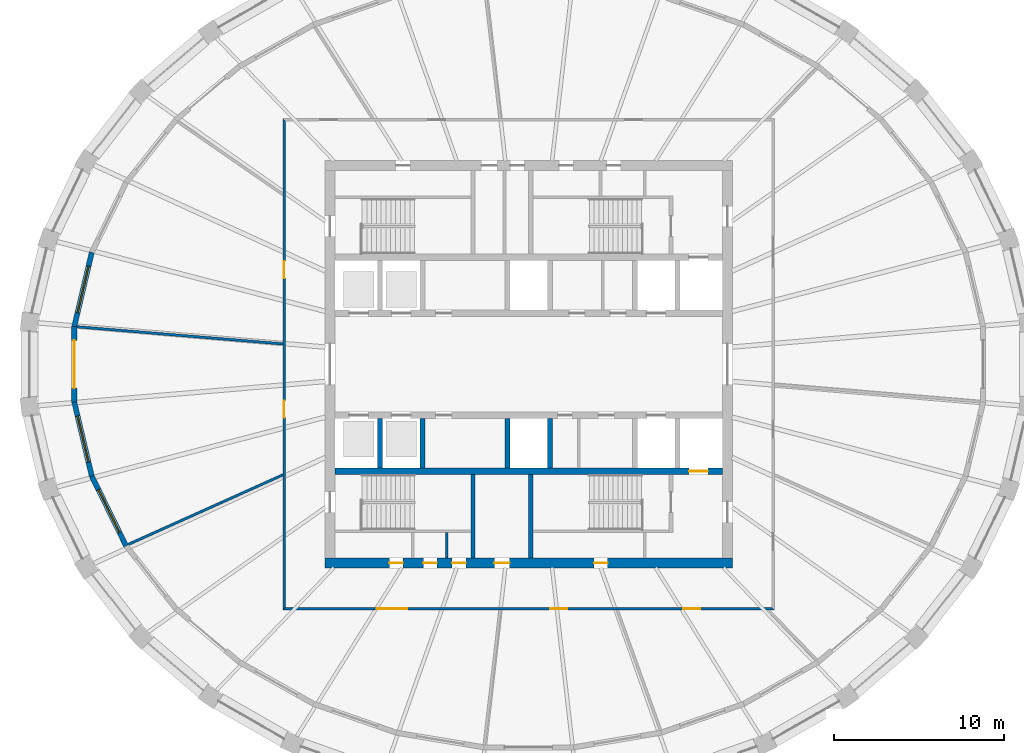
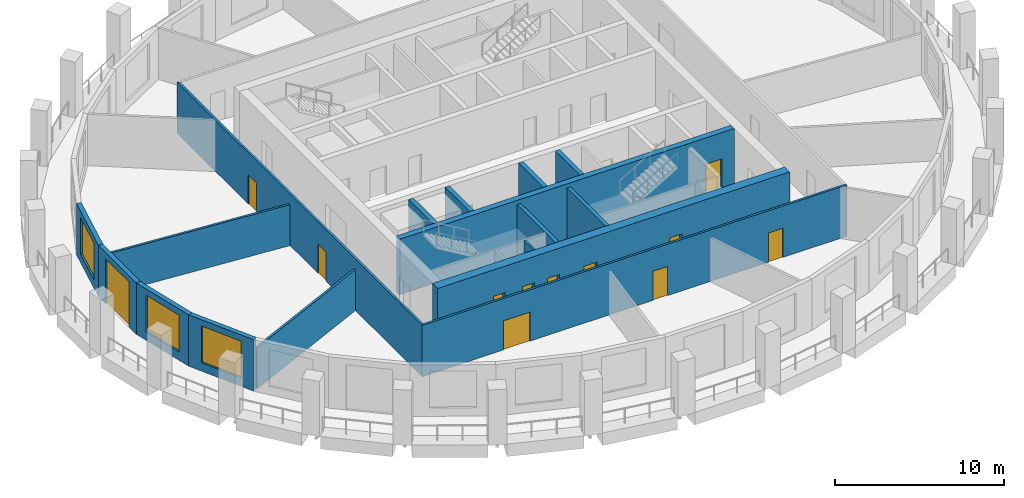
# One storey, part 3 of 10: 17 walls, 12 doors, 3 windows, 15 openings.
"""IFC4 building model written with IfcOpenShell, lengths in metres."""

from ifc_helpers import new_model, si_unit, direction, frame, frame_2d, origin, place, context, subcontext, project, spatial, polyline, rectangle, outline, extrude, material, layer, layer_set, type_object, element, fill, save


model = new_model("IFC4")

# Units and contexts
model_context = context("Model", 3, precision=1e-05, world=origin(), true_north=direction((0.0, 1.0)))
body_context = subcontext(model_context, "Body", "Model", "MODEL_VIEW")
ifc_project = project(units=[si_unit("LENGTHUNIT", "METRE"), si_unit("AREAUNIT", "SQUARE_METRE"), si_unit("VOLUMEUNIT", "CUBIC_METRE"), si_unit("PLANEANGLEUNIT", "RADIAN"), si_unit("MASSUNIT", "GRAM", prefix="KILO")], contexts=[model_context])

# Site, building, storey
site_placement = place(None, origin())
site = spatial("IfcSite", under=ifc_project, at=site_placement, CompositionType="ELEMENT")
building_placement = place(site_placement, origin())
building = spatial("IfcBuilding", under=site, at=building_placement, Name="Halqa Exchange Tower", CompositionType="ELEMENT")
storey_placement = place(building_placement, frame((0.0, 0.0, 284.300048828125)))
storey = spatial("IfcBuildingStorey", under=building, at=storey_placement, Name="L66", CompositionType="ELEMENT", Elevation=284.300048828125)

# Wall, openings, doors
ifc_material_1 = material(Name="Fire-rated gypsum board")
ifc_layer_1 = layer(ifc_material_1, 0.14990234375)
ifc_layer_set_1 = layer_set([ifc_layer_1], Name="Fire-rated gypsum board")
wall_type_1 = type_object("IfcWallType", Name="Fire partition EI 60 150", PredefinedType="PARTITIONING", material=ifc_layer_set_1)
wall_1_placement = place(storey_placement, frame((-14.39990234375, -14.47509765625, 0.0), z_axis=(0.0, 0.0, 1.0), x_axis=(0.0, 1.0, 0.0)))
wall_1 = element("IfcWall", 1, at=wall_1_placement, inside=storey, type_object=wall_type_1, Name="L66-PWL-001", PredefinedType="PARTITIONING", context=body_context, shape_type="SweptSolid", body=[
    extrude(outline(polyline([(0.150146484375, -0.074951171875), (2.06005859375, -0.074951171875), (3.97021484375, -0.074951171875), (5.880126953125, -0.074951171875), (7.7900390625, -0.074951171875), (9.7001953125, -0.074951171875), (11.610107421875, -0.074951171875), (13.52001953125, -0.074951171875), (15.43017578125, -0.074951171875), (17.340087890625, -0.074951171875), (19.25, -0.074951171875), (21.16015625, -0.074951171875), (23.070068359375, -0.074951171875), (24.97998046875, -0.074951171875), (26.89013671875, -0.074951171875), (28.800048828125, -0.074951171875), (28.949951171875, 0.074951171875), (27.02001953125, 0.074951171875), (25.090087890625, 0.074951171875), (23.159912109375, 0.074951171875), (21.22998046875, 0.074951171875), (19.300048828125, 0.074951171875), (17.3701171875, 0.074951171875), (15.440185546875, 0.074951171875), (13.510009765625, 0.074951171875), (11.580078125, 0.074951171875), (9.650146484375, 0.074951171875), (7.72021484375, 0.074951171875), (5.790283203125, 0.074951171875), (3.860107421875, 0.074951171875), (1.93017578125, 0.074951171875), (0.000244140625, 0.074951171875), (0.150146484375, -0.074951171875)])), origin(), (0.0, 0.0, 1.0), 3.699951171875),
])
opening_1_placement = place(wall_1_placement, frame((19.544921875, 0.0, 0.0)))
opening_1 = element("IfcOpeningElement", 2, at=opening_1_placement, cuts=wall_1, Name="Opening 20-07", PredefinedType="OPENING", context=body_context, shape_type="SweptSolid", body=[
    extrude(rectangle(XDim=1.0, YDim=2.10009765625, at=frame_2d((0.5, 1.050048828125))), frame((0.0, 0.0869140625, 0.0), z_axis=(0.0, -1.0, 0.0), x_axis=(1.0, 0.0, 0.0)), (0.0, 0.0, 1.0), 0.173828125),
])
opening_2_placement = place(wall_1_placement, frame((11.330078125, 0.0, 0.0)))
opening_2 = element("IfcOpeningElement", 3, at=opening_2_placement, cuts=wall_1, Name="Opening 20-08", PredefinedType="OPENING", context=body_context, shape_type="SweptSolid", body=[
    extrude(rectangle(XDim=1.0, YDim=2.10009765625, at=frame_2d((0.5, 1.050048828125))), frame((0.0, 0.0869140625, 0.0), z_axis=(0.0, -1.0, 0.0), x_axis=(1.0, 0.0, 0.0)), (0.0, 0.0, 1.0), 0.173828125),
])
ifc_material_2 = material(Name="Steel fire door leaf", Category="steel")
door_type_1 = type_object("IfcDoorType", Name="Fire door FD30S 1000 x 2100", OperationType="SINGLE_SWING_LEFT", PredefinedType="DOOR", material=ifc_material_2)
door_1_placement = place(opening_1_placement, origin())
door_1 = element("IfcDoor", 4, at=door_1_placement, inside=storey, type_object=door_type_1, Name="L66-IDR-007", OperationType="SINGLE_SWING_LEFT", OverallHeight=2.10009765625, OverallWidth=1.0, PredefinedType="DOOR", context=body_context, shape_type="SweptSolid", body=[
    extrude(rectangle(XDim=1.0, YDim=2.10009765625, at=frame_2d((0.5, 1.050048828125))), frame((0.0, 0.02490234375, 0.0), z_axis=(0.0, -1.0, 0.0), x_axis=(1.0, 0.0, 0.0)), (0.0, 0.0, 1.0), 0.050048828125),
])
fill(opening_1, door_1)
door_2_placement = place(opening_2_placement, origin())
door_2 = element("IfcDoor", 5, at=door_2_placement, inside=storey, type_object=door_type_1, Name="L66-IDR-008", OperationType="SINGLE_SWING_RIGHT", OverallHeight=2.10009765625, OverallWidth=1.0, PredefinedType="DOOR", context=body_context, shape_type="SweptSolid", body=[
    extrude(rectangle(XDim=1.0, YDim=2.10009765625, at=frame_2d((0.5, 1.050048828125))), frame((0.0, 0.02490234375, 0.0), z_axis=(0.0, -1.0, 0.0), x_axis=(1.0, 0.0, 0.0)), (0.0, 0.0, 1.0), 0.050048828125),
])
fill(opening_2, door_2)

wall_2_placement = place(storey_placement, frame((-14.47509765625, -14.39990234375, 0.0), z_axis=(0.0, 0.0, 1.0), x_axis=(1.0, 0.0, 0.0)))
wall_2 = element("IfcWall", 6, at=wall_2_placement, inside=storey, type_object=wall_type_1, Name="L66-PWL-002", PredefinedType="PARTITIONING", context=body_context, shape_type="SweptSolid", body=[
    extrude(outline(polyline([(0.000244140625, -0.074951171875), (1.93017578125, -0.074951171875), (3.860107421875, -0.074951171875), (5.790283203125, -0.074951171875), (7.72021484375, -0.074951171875), (9.650146484375, -0.074951171875), (11.580078125, -0.074951171875), (13.510009765625, -0.074951171875), (15.440185546875, -0.074951171875), (17.3701171875, -0.074951171875), (19.300048828125, -0.074951171875), (21.22998046875, -0.074951171875), (23.159912109375, -0.074951171875), (25.090087890625, -0.074951171875), (27.02001953125, -0.074951171875), (28.949951171875, -0.074951171875), (28.800048828125, 0.074951171875), (26.89013671875, 0.074951171875), (24.97998046875, 0.074951171875), (23.070068359375, 0.074951171875), (21.16015625, 0.074951171875), (19.25, 0.074951171875), (17.340087890625, 0.074951171875), (15.43017578125, 0.074951171875), (13.52001953125, 0.074951171875), (11.610107421875, 0.074951171875), (9.7001953125, 0.074951171875), (7.7900390625, 0.074951171875), (5.880126953125, 0.074951171875), (3.97021484375, 0.074951171875), (2.06005859375, 0.074951171875), (0.150146484375, 0.074951171875), (0.000244140625, -0.074951171875)])), origin(), (0.0, 0.0, 1.0), 3.699951171875),
])
opening_3_placement = place(wall_2_placement, frame((5.534912109375, 0.0, 0.0)))
opening_3 = element("IfcOpeningElement", 7, at=opening_3_placement, cuts=wall_2, Name="Opening 20-09", PredefinedType="OPENING", context=body_context, shape_type="SweptSolid", body=[
    extrude(rectangle(XDim=1.800048828125, YDim=2.10009765625, at=frame_2d((0.89990234375, 1.050048828125))), frame((0.0, 0.0869140625, 0.0), z_axis=(0.0, -1.0, 0.0), x_axis=(1.0, 0.0, 0.0)), (0.0, 0.0, 1.0), 0.173828125),
])
opening_4_placement = place(wall_2_placement, frame((15.72998046875, 0.0, 0.0)))
opening_4 = element("IfcOpeningElement", 8, at=opening_4_placement, cuts=wall_2, Name="Opening 20-10", PredefinedType="OPENING", context=body_context, shape_type="SweptSolid", body=[
    extrude(rectangle(XDim=1.0, YDim=2.10009765625, at=frame_2d((0.5, 1.050048828125))), frame((0.0, 0.0869140625, 0.0), z_axis=(0.0, -1.0, 0.0), x_axis=(1.0, 0.0, 0.0)), (0.0, 0.0, 1.0), 0.173828125),
])
opening_5_placement = place(wall_2_placement, frame((23.5849609375, 0.0, 0.0)))
opening_5 = element("IfcOpeningElement", 9, at=opening_5_placement, cuts=wall_2, Name="Opening 20-11", PredefinedType="OPENING", context=body_context, shape_type="SweptSolid", body=[
    extrude(rectangle(XDim=1.0, YDim=2.10009765625, at=frame_2d((0.5, 1.050048828125))), frame((0.0, 0.0869140625, 0.0), z_axis=(0.0, -1.0, 0.0), x_axis=(1.0, 0.0, 0.0)), (0.0, 0.0, 1.0), 0.173828125),
])
door_3_placement = place(opening_4_placement, frame((1.0, 0.0, 0.0), z_axis=(0.0, 0.0, 1.0), x_axis=(-1.0, 0.0, 0.0)))
door_3 = element("IfcDoor", 10, at=door_3_placement, inside=storey, type_object=door_type_1, Name="L66-IDR-010", OperationType="SINGLE_SWING_RIGHT", OverallHeight=2.10009765625, OverallWidth=1.0, PredefinedType="DOOR", context=body_context, shape_type="SweptSolid", body=[
    extrude(rectangle(XDim=1.0, YDim=2.10009765625, at=frame_2d((0.5, 1.050048828125))), frame((0.0, 0.02490234375, 0.0), z_axis=(0.0, -1.0, 0.0), x_axis=(1.0, 0.0, 0.0)), (0.0, 0.0, 1.0), 0.050048828125),
])
fill(opening_4, door_3)
door_4_placement = place(opening_5_placement, frame((1.0, 0.0, 0.0), z_axis=(0.0, 0.0, 1.0), x_axis=(-1.0, 0.0, 0.0)))
door_4 = element("IfcDoor", 11, at=door_4_placement, inside=storey, type_object=door_type_1, Name="L66-IDR-011", OperationType="SINGLE_SWING_RIGHT", OverallHeight=2.10009765625, OverallWidth=1.0, PredefinedType="DOOR", context=body_context, shape_type="SweptSolid", body=[
    extrude(rectangle(XDim=1.0, YDim=2.10009765625, at=frame_2d((0.5, 1.050048828125))), frame((0.0, 0.02490234375, 0.0), z_axis=(0.0, -1.0, 0.0), x_axis=(1.0, 0.0, 0.0)), (0.0, 0.0, 1.0), 0.050048828125),
])
fill(opening_5, door_4)
door_type_2 = type_object("IfcDoorType", Name="Fire door FD30S double 1800 x 2100", OperationType="DOUBLE_DOOR_SINGLE_SWING", PredefinedType="DOOR", material=ifc_material_2)
door_5_placement = place(opening_3_placement, frame((1.800048828125, 0.0, 0.0), z_axis=(0.0, 0.0, 1.0), x_axis=(-1.0, 0.0, 0.0)))
door_5 = element("IfcDoor", 12, at=door_5_placement, inside=storey, type_object=door_type_2, Name="L66-IDR-009", OperationType="DOUBLE_DOOR_SINGLE_SWING", OverallHeight=2.10009765625, OverallWidth=1.800048828125, PredefinedType="DOOR", context=body_context, shape_type="SweptSolid", body=[
    extrude(rectangle(XDim=1.800048828125, YDim=2.10009765625, at=frame_2d((0.89990234375, 1.050048828125))), frame((0.0, 0.02490234375, 0.0), z_axis=(0.0, -1.0, 0.0), x_axis=(1.0, 0.0, 0.0)), (0.0, 0.0, 1.0), 0.050048828125),
])
fill(opening_3, door_5)

# Walls
wall_3_placement = place(storey_placement, frame((-14.444580078125, -6.5, 0.0), z_axis=(0.0, 0.0, 1.0), x_axis=(-0.912008635086, -0.410171000351, 0.0)))
element("IfcWall", 13, at=wall_3_placement, inside=storey, type_object=wall_type_1, Name="L66-PWL-003", PredefinedType="PARTITIONING", context=body_context, shape_type="SweptSolid", body=[
    extrude(outline(polyline([(10.011474609375, -0.074951171875), (10.011474609375, -0.07080078125), (10.0087890625, 0.00537109375), (9.9912109375, 0.074951171875), (8.00634765625, 0.074951171875), (6.021484375, 0.074951171875), (4.03662109375, 0.074951171875), (2.052001953125, 0.074951171875), (0.067138671875, 0.074951171875), (0.0, -0.07421875), (0.0, -0.074951171875), (1.66845703125, -0.074951171875), (3.337158203125, -0.074951171875), (5.005859375, -0.074951171875), (6.67431640625, -0.074951171875), (8.3427734375, -0.074951171875), (10.011474609375, -0.074951171875)])), origin(), (0.0, 0.0, 1.0), 2.947021484375),
])
wall_4_placement = place(storey_placement, frame((-14.46923828125, 1.19580078125, 0.0), z_axis=(0.0, 0.0, 1.0), x_axis=(-0.996556684965, 0.08291425481, 0.0)))
element("IfcWall", 14, at=wall_4_placement, inside=storey, type_object=wall_type_1, Name="L66-PWL-004", PredefinedType="PARTITIONING", context=body_context, shape_type="SweptSolid", body=[
    extrude(outline(polyline([(0.011962890625, -0.074951171875), (1.747314453125, -0.074951171875), (3.482666015625, -0.074951171875), (5.218017578125, -0.074951171875), (6.953369140625, -0.074951171875), (8.688720703125, -0.074951171875), (10.424072265625, -0.074951171875), (12.159423828125, -0.074951171875), (12.163818359375, -0.045166015625), (12.163818359375, 0.074951171875), (10.426025390625, 0.074951171875), (8.6884765625, 0.074951171875), (6.95068359375, 0.074951171875), (5.213134765625, 0.074951171875), (3.475341796875, 0.074951171875), (1.73779296875, 0.074951171875), (0.0, 0.074951171875), (0.0, 0.069580078125), (0.011962890625, -0.074951171875)])), origin(), (0.0, 0.0, 1.0), 2.947021484375),
])
ifc_material_3 = material(Name="Gypsum board")
ifc_layer_2 = layer(ifc_material_3, 0.14990234375)
ifc_layer_set_2 = layer_set([ifc_layer_2], Name="Gypsum board")
wall_type_2 = type_object("IfcWallType", Name="Penthouse riser wall 150 gypsum", PredefinedType="PARTITIONING", material=ifc_layer_set_2)
wall_5_placement = place(storey_placement, frame((-4.824951171875, -11.39990234375, 0.0), z_axis=(0.0, 0.0, 1.0), x_axis=(0.0, 1.0, 0.0)))
element("IfcWall", 15, at=wall_5_placement, inside=storey, type_object=wall_type_2, Name="Partition W4.825 S", PredefinedType="PARTITIONING", context=body_context, shape_type="SweptSolid", body=[
    extrude(rectangle(XDim=1.5, YDim=0.14990234375, at=frame_2d((0.75, 0.0))), origin(), (0.0, 0.0, 1.0), 3.699951171875),
])
ifc_material_4 = material(Name="Concrete C60/75", Category="concrete")
ifc_layer_3 = layer(ifc_material_4, 0.300048828125)
ifc_layer_set_3 = layer_set([ifc_layer_3], Name="Concrete C60/75")
wall_type_3 = type_object("IfcWallType", Name="RC core wall 300", PredefinedType="SHEAR", material=ifc_layer_set_3)
for number, where, z_axis, x_axis, name in (
    (16, (-8.75, -6.10009765625, 0.0), (0.0, 0.0, 1.0), (0.0, 1.0, 0.0), "Shaft divider S1"),
    (17, (-6.25, -6.10009765625, 0.0), (0.0, 0.0, 1.0), (0.0, 1.0, 0.0), "Shaft divider S2"),
    (18, (-1.25, -6.10009765625, 0.0), (0.0, 0.0, 1.0), (0.0, 1.0, 0.0), "Shaft divider S4"),
    (19, (1.25, -6.10009765625, 0.0), (0.0, 0.0, 1.0), (0.0, 1.0, 0.0), "Shaft divider S5"),
):
    element("IfcWall", number, at=place(storey_placement, frame(where, z_axis=z_axis, x_axis=x_axis)), inside=storey, type_object=wall_type_3, Name=name, PredefinedType="SHEAR", context=body_context, shape_type="SweptSolid", body=[
        extrude(rectangle(XDim=2.900146484375, YDim=0.300048828125, at=frame_2d((1.4501953125, 0.0))), origin(), (0.0, 0.0, 1.0), 4.0),
    ])

# Wall, opening, door
ifc_layer_4 = layer(ifc_material_4, 0.39990234375)
ifc_layer_set_4 = layer_set([ifc_layer_4], Name="Concrete C60/75")
wall_type_4 = type_object("IfcWallType", Name="RC core wall 400 C60/75", PredefinedType="SHEAR", material=ifc_layer_set_4)
wall_6_placement = place(storey_placement, frame((-11.39990234375, -6.300048828125, 0.0), z_axis=(0.0, 0.0, 1.0), x_axis=(1.0, 0.0, 0.0)))
wall_6 = element("IfcWall", 20, at=wall_6_placement, inside=storey, type_object=wall_type_4, Name="Lift row back wall S", PredefinedType="SHEAR", context=body_context, shape_type="SweptSolid", body=[
    extrude(rectangle(XDim=22.7998046875, YDim=0.39990234375, at=frame_2d((11.39990234375, 0.0))), origin(), (0.0, 0.0, 1.0), 4.0),
])
opening_6_placement = place(wall_6_placement, frame((20.85009765625, 0.0, 0.0)))
opening_6 = element("IfcOpeningElement", 21, at=opening_6_placement, cuts=wall_6, Name="Opening LD-FF2-T20", PredefinedType="OPENING", context=body_context, shape_type="SweptSolid", body=[
    extrude(rectangle(XDim=1.10009765625, YDim=2.10009765625, at=frame_2d((0.550048828125, 1.050048828125))), frame((0.0, 0.2119140625, 0.0), z_axis=(0.0, -1.0, 0.0), x_axis=(1.0, 0.0, 0.0)), (0.0, 0.0, 1.0), 0.423828125),
])
ifc_material_5 = material(Name="Stainless steel", Category="steel")
door_type_3 = type_object("IfcDoorType", Name="Lift landing door 1100 x 2100", OperationType="SLIDING_TO_LEFT", PredefinedType="DOOR", material=ifc_material_5)
door_6_placement = place(opening_6_placement, origin())
door_6 = element("IfcDoor", 22, at=door_6_placement, inside=storey, type_object=door_type_3, Name="Lift landing door FF2", OperationType="SLIDING_TO_LEFT", OverallHeight=2.10009765625, OverallWidth=1.10009765625, PredefinedType="DOOR", context=body_context, shape_type="SweptSolid", body=[
    extrude(rectangle(XDim=1.10009765625, YDim=2.10009765625, at=frame_2d((0.550048828125, 1.050048828125))), frame((0.0, 0.02490234375, 0.0), z_axis=(0.0, -1.0, 0.0), x_axis=(1.0, 0.0, 0.0)), (0.0, 0.0, 1.0), 0.050048828125),
])
fill(opening_6, door_6)

# Wall, openings, doors
ifc_layer_5 = layer(ifc_material_4, 0.60009765625)
ifc_layer_set_5 = layer_set([ifc_layer_5], Name="Concrete C60/75")
wall_type_5 = type_object("IfcWallType", Name="RC core wall 600 C60/75", PredefinedType="SHEAR", material=ifc_layer_set_5)
wall_7_placement = place(storey_placement, frame((-12.0, -11.699951171875, 0.0), z_axis=(0.0, 0.0, 1.0), x_axis=(1.0, 0.0, 0.0)))
wall_7 = element("IfcWall", 23, at=wall_7_placement, inside=storey, type_object=wall_type_5, Name="Core wall south", PredefinedType="SHEAR", context=body_context, shape_type="SweptSolid", body=[
    extrude(rectangle(XDim=24.0, YDim=0.60009765625, at=frame_2d((12.0, 0.0))), origin(), (0.0, 0.0, 1.0), 4.0),
])
opening_7_placement = place(wall_7_placement, frame((9.97509765625, 0.0, 0.0)))
opening_7 = element("IfcOpeningElement", 24, at=opening_7_placement, cuts=wall_7, Name="Opening T20-C22", PredefinedType="OPENING", context=body_context, shape_type="SweptSolid", body=[
    extrude(rectangle(XDim=0.89990234375, YDim=2.10009765625, at=frame_2d((0.449951171875, 1.050048828125))), frame((0.0, 0.31201171875, 0.0), z_axis=(0.0, -1.0, 0.0), x_axis=(1.0, 0.0, 0.0)), (0.0, 0.0, 1.0), 0.6240234375),
])
opening_8_placement = place(wall_7_placement, frame((3.800048828125, 0.0, 0.0)))
opening_8 = element("IfcOpeningElement", 25, at=opening_8_placement, cuts=wall_7, Name="Opening T20-C23", PredefinedType="OPENING", context=body_context, shape_type="SweptSolid", body=[
    extrude(rectangle(XDim=0.800048828125, YDim=2.10009765625, at=frame_2d((0.39990234375, 1.050048828125))), frame((0.0, 0.31201171875, 0.0), z_axis=(0.0, -1.0, 0.0), x_axis=(1.0, 0.0, 0.0)), (0.0, 0.0, 1.0), 0.6240234375),
])
opening_9_placement = place(wall_7_placement, frame((5.800048828125, 0.0, 0.0)))
opening_9 = element("IfcOpeningElement", 26, at=opening_9_placement, cuts=wall_7, Name="Opening T20-C24", PredefinedType="OPENING", context=body_context, shape_type="SweptSolid", body=[
    extrude(rectangle(XDim=0.800048828125, YDim=2.10009765625, at=frame_2d((0.39990234375, 1.050048828125))), frame((0.0, 0.31201171875, 0.0), z_axis=(0.0, -1.0, 0.0), x_axis=(1.0, 0.0, 0.0)), (0.0, 0.0, 1.0), 0.6240234375),
])
opening_10_placement = place(wall_7_placement, frame((7.5, 0.0, 0.0)))
opening_10 = element("IfcOpeningElement", 27, at=opening_10_placement, cuts=wall_7, Name="Opening T20-C25", PredefinedType="OPENING", context=body_context, shape_type="SweptSolid", body=[
    extrude(rectangle(XDim=0.800048828125, YDim=2.10009765625, at=frame_2d((0.39990234375, 1.050048828125))), frame((0.0, 0.31201171875, 0.0), z_axis=(0.0, -1.0, 0.0), x_axis=(1.0, 0.0, 0.0)), (0.0, 0.0, 1.0), 0.6240234375),
])
opening_11_placement = place(wall_7_placement, frame((15.85009765625, 0.0, 0.0)))
opening_11 = element("IfcOpeningElement", 28, at=opening_11_placement, cuts=wall_7, Name="Opening T20-C26", PredefinedType="OPENING", context=body_context, shape_type="SweptSolid", body=[
    extrude(rectangle(XDim=0.800048828125, YDim=2.10009765625, at=frame_2d((0.39990234375, 1.050048828125))), frame((0.0, 0.31201171875, 0.0), z_axis=(0.0, -1.0, 0.0), x_axis=(1.0, 0.0, 0.0)), (0.0, 0.0, 1.0), 0.6240234375),
])
ifc_material_6 = material(Name="Timber fire door leaf", Category="wood")
door_type_4 = type_object("IfcDoorType", Name="Core room door FD30 900 x 2100", OperationType="SINGLE_SWING_LEFT", PredefinedType="DOOR", material=ifc_material_6)
door_7_placement = place(opening_7_placement, origin())
door_7 = element("IfcDoor", 29, at=door_7_placement, inside=storey, type_object=door_type_4, Name="Core room door", OperationType="SINGLE_SWING_LEFT", OverallHeight=2.10009765625, OverallWidth=0.89990234375, PredefinedType="DOOR", context=body_context, shape_type="SweptSolid", body=[
    extrude(rectangle(XDim=0.89990234375, YDim=2.10009765625, at=frame_2d((0.449951171875, 1.050048828125))), frame((0.0, 0.02490234375, 0.0), z_axis=(0.0, -1.0, 0.0), x_axis=(1.0, 0.0, 0.0)), (0.0, 0.0, 1.0), 0.050048828125),
])
fill(opening_7, door_7)
door_type_5 = type_object("IfcDoorType", Name="Riser door FD60 800 x 2100", OperationType="SINGLE_SWING_LEFT", PredefinedType="DOOR", material=ifc_material_2)
door_8_placement = place(opening_8_placement, origin())
door_8 = element("IfcDoor", 30, at=door_8_placement, inside=storey, type_object=door_type_5, Name="Core room door", OperationType="SINGLE_SWING_LEFT", OverallHeight=2.10009765625, OverallWidth=0.800048828125, PredefinedType="DOOR", context=body_context, shape_type="SweptSolid", body=[
    extrude(rectangle(XDim=0.800048828125, YDim=2.10009765625, at=frame_2d((0.39990234375, 1.050048828125))), frame((0.0, 0.02490234375, 0.0), z_axis=(0.0, -1.0, 0.0), x_axis=(1.0, 0.0, 0.0)), (0.0, 0.0, 1.0), 0.050048828125),
])
fill(opening_8, door_8)
door_9_placement = place(opening_9_placement, origin())
door_9 = element("IfcDoor", 31, at=door_9_placement, inside=storey, type_object=door_type_5, Name="Core room door", OperationType="SINGLE_SWING_RIGHT", OverallHeight=2.10009765625, OverallWidth=0.800048828125, PredefinedType="DOOR", context=body_context, shape_type="SweptSolid", body=[
    extrude(rectangle(XDim=0.800048828125, YDim=2.10009765625, at=frame_2d((0.39990234375, 1.050048828125))), frame((0.0, 0.02490234375, 0.0), z_axis=(0.0, -1.0, 0.0), x_axis=(1.0, 0.0, 0.0)), (0.0, 0.0, 1.0), 0.050048828125),
])
fill(opening_9, door_9)
door_10_placement = place(opening_10_placement, origin())
door_10 = element("IfcDoor", 32, at=door_10_placement, inside=storey, type_object=door_type_5, Name="Core room door", OperationType="SINGLE_SWING_RIGHT", OverallHeight=2.10009765625, OverallWidth=0.800048828125, PredefinedType="DOOR", context=body_context, shape_type="SweptSolid", body=[
    extrude(rectangle(XDim=0.800048828125, YDim=2.10009765625, at=frame_2d((0.39990234375, 1.050048828125))), frame((0.0, 0.02490234375, 0.0), z_axis=(0.0, -1.0, 0.0), x_axis=(1.0, 0.0, 0.0)), (0.0, 0.0, 1.0), 0.050048828125),
])
fill(opening_10, door_10)
door_11_placement = place(opening_11_placement, origin())
door_11 = element("IfcDoor", 33, at=door_11_placement, inside=storey, type_object=door_type_5, Name="Core room door", OperationType="SINGLE_SWING_LEFT", OverallHeight=2.10009765625, OverallWidth=0.800048828125, PredefinedType="DOOR", context=body_context, shape_type="SweptSolid", body=[
    extrude(rectangle(XDim=0.800048828125, YDim=2.10009765625, at=frame_2d((0.39990234375, 1.050048828125))), frame((0.0, 0.02490234375, 0.0), z_axis=(0.0, -1.0, 0.0), x_axis=(1.0, 0.0, 0.0)), (0.0, 0.0, 1.0), 0.050048828125),
])
fill(opening_11, door_11)

# Walls
ifc_material_7 = material(Name="Concrete C30/37", Category="concrete")
ifc_layer_6 = layer(ifc_material_7, 0.25)
ifc_layer_set_6 = layer_set([ifc_layer_6], Name="Concrete C30/37")
wall_type_6 = type_object("IfcWallType", Name="RC stair wall 250 C30/37", PredefinedType="SHEAR", material=ifc_layer_set_6)
for number, where, z_axis, x_axis, name in (
    (34, (-3.27490234375, -11.39990234375, 0.0), (0.0, 0.0, 1.0), (0.0, 1.0, 0.0), "Stair ST1 east wall S"),
    (35, (0.125, -11.39990234375, 0.0), (0.0, 0.0, 1.0), (0.0, 1.0, 0.0), "Stair ST2 west wall S"),
):
    element("IfcWall", number, at=place(storey_placement, frame(where, z_axis=z_axis, x_axis=x_axis)), inside=storey, type_object=wall_type_6, Name=name, PredefinedType="SHEAR", context=body_context, shape_type="SweptSolid", body=[
        extrude(rectangle(XDim=4.89990234375, YDim=0.25, at=frame_2d((2.449951171875, 0.0))), origin(), (0.0, 0.0, 1.0), 3.699951171875),
    ])

# Wall, opening, window
ifc_material_8 = material(Name="Limestone cladding", Category="masonry")
ifc_layer_7 = layer(ifc_material_8, 0.0400390625)
ifc_material_9 = material(Name="Ventilated cavity")
ifc_layer_8 = layer(ifc_material_9, 0.030029296875, ventilated=True)
ifc_material_10 = material(Name="Mineral wool insulation")
ifc_layer_9 = layer(ifc_material_10, 0.10009765625)
ifc_layer_10 = layer(ifc_material_7, 0.10009765625)
ifc_material_11 = material(Name="Internal plaster")
ifc_layer_11 = layer(ifc_material_11, 0.030029296875)
ifc_layer_set_7 = layer_set([ifc_layer_7, ifc_layer_8, ifc_layer_9, ifc_layer_10, ifc_layer_11], Name="Stone-faced insulated wall 300")
wall_type_7 = type_object("IfcWallType", Name="Stone-faced insulated wall 300", PredefinedType="STANDARD", material=ifc_layer_set_7)
wall_8_placement = place(storey_placement, frame((-25.717529296875, 6.584716796875, 0.0), z_axis=(0.0, 0.0, 1.0), x_axis=(-0.229862207503, -0.973223183839, 0.0)))
wall_8 = element("IfcWall", 36, at=wall_8_placement, inside=storey, type_object=wall_type_7, Name="Glass-line wall 15", PredefinedType="STANDARD", context=body_context, shape_type="SweptSolid", body=[
    extrude(outline(polyline([(-0.016845703125, -0.14990234375), (4.49853515625, -0.14990234375), (4.46337890625, 0.14990234375), (0.016845703125, 0.14990234375), (-0.016845703125, -0.14990234375)])), origin(), (0.0, 0.0, 1.0), 3.699951171875),
])
opening_12_placement = place(wall_8_placement, frame((0.840576171875, 0.0, 0.60009765625)))
opening_12 = element("IfcOpeningElement", 37, at=opening_12_placement, cuts=wall_8, Name="Opening W-F4-15", PredefinedType="OPENING", context=body_context, shape_type="SweptSolid", body=[
    extrude(rectangle(XDim=2.800048828125, YDim=2.64990234375, at=frame_2d((1.39990234375, 1.324951171875))), frame((0.0, 0.162109375, 0.0), z_axis=(0.0, -1.0, 0.0), x_axis=(1.0, 0.0, 0.0)), (0.0, 0.0, 1.0), 0.323974609375),
])
ifc_material_12 = material(Name="Clear low-emissivity glass in aluminium frame", Category="aluminium")
window_type = type_object("IfcWindowType", Name="Fixed clear glazed window 2800 x 2650", PartitioningType="DOUBLE_PANEL_VERTICAL", PredefinedType="WINDOW", material=ifc_material_12)
window_1_placement = place(opening_12_placement, origin())
window_1 = element("IfcWindow", 38, at=window_1_placement, inside=storey, type_object=window_type, Name="Window 4", OverallHeight=2.64990234375, OverallWidth=2.800048828125, PartitioningType="DOUBLE_PANEL_VERTICAL", PredefinedType="WINDOW", context=body_context, shape_type="SweptSolid", body=[
    extrude(rectangle(XDim=2.800048828125, YDim=2.64990234375, at=frame_2d((1.39990234375, 1.324951171875))), frame((0.0, 0.030029296875, 0.0), z_axis=(0.0, -1.0, 0.0), x_axis=(1.0, 0.0, 0.0)), (0.0, 0.0, 1.0), 0.06005859375),
])
fill(opening_12, window_1)

# Wall, opening, door
wall_9_placement = place(storey_placement, frame((-26.74755859375, 2.2236328125, 0.0), z_axis=(0.0, 0.0, 1.0), x_axis=(0.0, -1.0, 0.0)))
wall_9 = element("IfcWall", 39, at=wall_9_placement, inside=storey, type_object=wall_type_7, Name="Glass-line wall 16", PredefinedType="STANDARD", context=body_context, shape_type="SweptSolid", body=[
    extrude(outline(polyline([(-0.017578125, -0.14990234375), (4.46484375, -0.14990234375), (4.4296875, 0.14990234375), (0.017578125, 0.14990234375), (-0.017578125, -0.14990234375)])), origin(), (0.0, 0.0, 1.0), 3.699951171875),
])
opening_13_placement = place(wall_9_placement, frame((0.82373046875, 0.0, 0.0)))
opening_13 = element("IfcOpeningElement", 40, at=opening_13_placement, cuts=wall_9, Name="Opening LG-F4-04", PredefinedType="OPENING", context=body_context, shape_type="SweptSolid", body=[
    extrude(rectangle(XDim=2.800048828125, YDim=3.25, at=frame_2d((1.39990234375, 1.625))), frame((0.0, 0.162109375, 0.0), z_axis=(0.0, -1.0, 0.0), x_axis=(1.0, 0.0, 0.0)), (0.0, 0.0, 1.0), 0.323974609375),
])
door_type_6 = type_object("IfcDoorType", Name="Glazed sliding loggia door 2800 x 3250", OperationType="DOUBLE_DOOR_SLIDING", PredefinedType="DOOR", material=ifc_material_12)
door_12_placement = place(opening_13_placement, origin())
door_12 = element("IfcDoor", 41, at=door_12_placement, inside=storey, type_object=door_type_6, Name="Loggia door 4", OperationType="DOUBLE_DOOR_SLIDING", OverallHeight=3.25, OverallWidth=2.800048828125, PredefinedType="DOOR", context=body_context, shape_type="SweptSolid", body=[
    extrude(rectangle(XDim=2.800048828125, YDim=3.25, at=frame_2d((1.39990234375, 1.625))), frame((0.0, 0.02490234375, 0.0), z_axis=(0.0, -1.0, 0.0), x_axis=(1.0, 0.0, 0.0)), (0.0, 0.0, 1.0), 0.050048828125),
])
fill(opening_13, door_12)

# Wall, opening, window
wall_10_placement = place(storey_placement, frame((-26.74755859375, -2.2236328125, 0.0), z_axis=(0.0, 0.0, 1.0), x_axis=(0.229862207503, -0.973223183839, 0.0)))
wall_10 = element("IfcWall", 42, at=wall_10_placement, inside=storey, type_object=wall_type_7, Name="Glass-line wall 17", PredefinedType="STANDARD", context=body_context, shape_type="SweptSolid", body=[
    extrude(outline(polyline([(-0.017578125, -0.14990234375), (4.497802734375, -0.14990234375), (4.464111328125, 0.14990234375), (0.017578125, 0.14990234375), (-0.017578125, -0.14990234375)])), origin(), (0.0, 0.0, 1.0), 3.699951171875),
])
opening_14_placement = place(wall_10_placement, frame((0.840576171875, 0.0, 0.60009765625)))
opening_14 = element("IfcOpeningElement", 43, at=opening_14_placement, cuts=wall_10, Name="Opening W-F4-17", PredefinedType="OPENING", context=body_context, shape_type="SweptSolid", body=[
    extrude(rectangle(XDim=2.800048828125, YDim=2.64990234375, at=frame_2d((1.39990234375, 1.324951171875))), frame((0.0, 0.162109375, 0.0), z_axis=(0.0, -1.0, 0.0), x_axis=(1.0, 0.0, 0.0)), (0.0, 0.0, 1.0), 0.323974609375),
])
window_2_placement = place(opening_14_placement, origin())
window_2 = element("IfcWindow", 44, at=window_2_placement, inside=storey, type_object=window_type, Name="Window 4", OverallHeight=2.64990234375, OverallWidth=2.800048828125, PartitioningType="DOUBLE_PANEL_VERTICAL", PredefinedType="WINDOW", context=body_context, shape_type="SweptSolid", body=[
    extrude(rectangle(XDim=2.800048828125, YDim=2.64990234375, at=frame_2d((1.39990234375, 1.324951171875))), frame((0.0, 0.030029296875, 0.0), z_axis=(0.0, -1.0, 0.0), x_axis=(1.0, 0.0, 0.0)), (0.0, 0.0, 1.0), 0.06005859375),
])
fill(opening_14, window_2)

wall_11_placement = place(storey_placement, frame((-25.717529296875, -6.584716796875, 0.0), z_axis=(0.0, 0.0, 1.0), x_axis=(0.441335149795, -0.897342345794, 0.0)))
wall_11 = element("IfcWall", 45, at=wall_11_placement, inside=storey, type_object=wall_type_7, Name="Glass-line wall 18", PredefinedType="STANDARD", context=body_context, shape_type="SweptSolid", body=[
    extrude(outline(polyline([(-0.016845703125, -0.14990234375), (4.592041015625, -0.14990234375), (4.559814453125, 0.14990234375), (0.016845703125, 0.14990234375), (-0.016845703125, -0.14990234375)])), origin(), (0.0, 0.0, 1.0), 3.699951171875),
])
opening_15_placement = place(wall_11_placement, frame((0.887939453125, 0.0, 0.60009765625)))
opening_15 = element("IfcOpeningElement", 46, at=opening_15_placement, cuts=wall_11, Name="Opening W-F4-18", PredefinedType="OPENING", context=body_context, shape_type="SweptSolid", body=[
    extrude(rectangle(XDim=2.800048828125, YDim=2.64990234375, at=frame_2d((1.39990234375, 1.324951171875))), frame((0.0, 0.162109375, 0.0), z_axis=(0.0, -1.0, 0.0), x_axis=(1.0, 0.0, 0.0)), (0.0, 0.0, 1.0), 0.323974609375),
])
window_3_placement = place(opening_15_placement, origin())
window_3 = element("IfcWindow", 47, at=window_3_placement, inside=storey, type_object=window_type, Name="Window 4", OverallHeight=2.64990234375, OverallWidth=2.800048828125, PartitioningType="DOUBLE_PANEL_VERTICAL", PredefinedType="WINDOW", context=body_context, shape_type="SweptSolid", body=[
    extrude(rectangle(XDim=2.800048828125, YDim=2.64990234375, at=frame_2d((1.39990234375, 1.324951171875))), frame((0.0, 0.030029296875, 0.0), z_axis=(0.0, -1.0, 0.0), x_axis=(1.0, 0.0, 0.0)), (0.0, 0.0, 1.0), 0.06005859375),
])
fill(opening_15, window_3)

save(model, "model.ifc")
